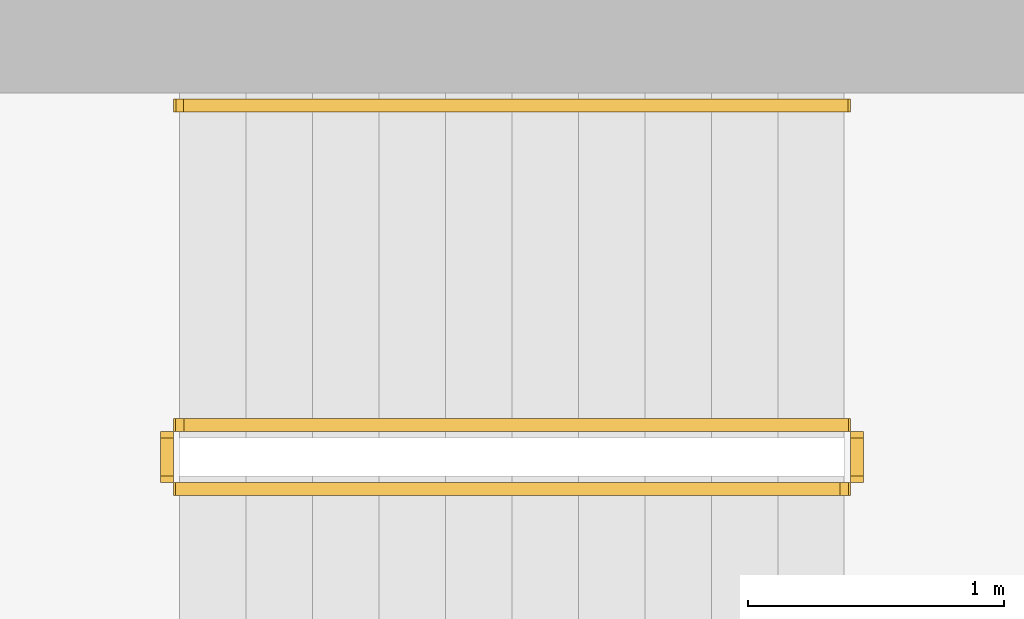
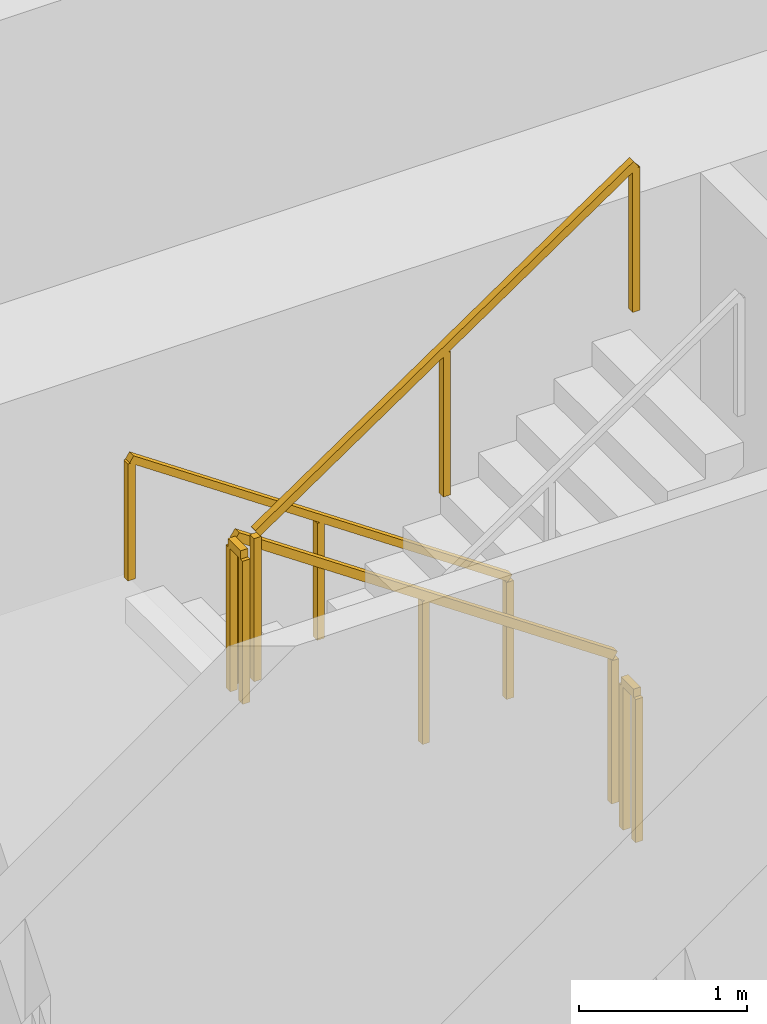
# One storey, part 13 of 14: 5 railings.
"""IFC4 building model written with IfcOpenShell, lengths in metres."""

from ifc_helpers import new_model, si_unit, direction, frame, origin, origin_2d, place, context, subcontext, project, spatial, rectangle, extrude, material, type_object, element, save


model = new_model("IFC4")

# Units and contexts
model_context = context("Model", 3, precision=1e-05, world=origin(), true_north=direction((0.0, 1.0)))
body_context = subcontext(model_context, "Body", "Model", "MODEL_VIEW")
ifc_project = project(units=[si_unit("LENGTHUNIT", "METRE"), si_unit("AREAUNIT", "SQUARE_METRE"), si_unit("VOLUMEUNIT", "CUBIC_METRE"), si_unit("PLANEANGLEUNIT", "RADIAN"), si_unit("MASSUNIT", "GRAM", prefix="KILO")], contexts=[model_context])

# Site, building, storey
site_placement = place(None, origin())
site = spatial("IfcSite", under=ifc_project, at=site_placement, CompositionType="ELEMENT")
building_placement = place(site_placement, origin())
building = spatial("IfcBuilding", under=site, at=building_placement, Name="Khepri Terraces", CompositionType="ELEMENT")
storey_placement = place(building_placement, frame((0.0, 0.0, 114.300048828125)))
storey = spatial("IfcBuildingStorey", under=building, at=storey_placement, Name="L27", CompositionType="ELEMENT", Elevation=114.300048828125)

# Railings
ifc_material = material(Name="Stainless steel 316", Category="steel")
railing_type_1 = type_object("IfcRailingType", Name="RL-CORE-GUARD", PredefinedType="GUARDRAIL", material=ifc_material)
railing_1_placement = place(storey_placement, frame((-0.25, 8.800048828125, 0.17724609375)))
element("IfcRailing", 1, at=railing_1_placement, inside=storey, type_object=railing_type_1, Name="L27 ST-3 stair guard 1", PredefinedType="GUARDRAIL", context=body_context, shape_type="SweptSolid", body=[
    extrude(rectangle(XDim=0.050048828125, YDim=0.06005859375, at=origin_2d()), frame((0.0, 0.0, 1.070068359375), z_axis=(-0.826240473404, 0.0, 0.563317565952), x_axis=(0.0, -1.0, 0.0)), (0.0, 0.0, 1.0), 3.14697265625),
    extrude(rectangle(XDim=0.050048828125, YDim=0.050048828125, at=origin_2d()), origin(), (0.0, 0.0, 1.0), 1.0400390625),
    extrude(rectangle(XDim=0.050048828125, YDim=0.050048828125, at=origin_2d()), frame((-1.300048828125, 0.0, 0.88623046875)), (0.0, 0.0, 1.0), 1.0400390625),
    extrude(rectangle(XDim=0.050048828125, YDim=0.050048828125, at=origin_2d()), frame((-2.60009765625, 0.0, 1.772705078125)), (0.0, 0.0, 1.0), 1.0400390625),
])
railing_2_placement = place(storey_placement, frame((-2.89990234375, 8.75, 1.949951171875)))
element("IfcRailing", 2, at=railing_2_placement, inside=storey, type_object=railing_type_1, Name="L27 ST-3 stair guard 2", PredefinedType="GUARDRAIL", context=body_context, shape_type="SweptSolid", body=[
    extrude(rectangle(XDim=0.050048828125, YDim=0.06005859375, at=origin_2d()), frame((0.0, 0.0, 1.070068359375), z_axis=(0.0, -1.0, 0.0), x_axis=(1.0, 0.0, 0.0)), (0.0, 0.0, 1.0), 0.14990234375),
    extrude(rectangle(XDim=0.050048828125, YDim=0.050048828125, at=origin_2d()), origin(), (0.0, 0.0, 1.0), 1.0400390625),
    extrude(rectangle(XDim=0.050048828125, YDim=0.050048828125, at=origin_2d()), frame((0.0, -0.14990234375, 0.0)), (0.0, 0.0, 1.0), 1.0400390625),
])
railing_3_placement = place(storey_placement, frame((-2.85009765625, 8.550048828125, 2.127197265625)))
element("IfcRailing", 3, at=railing_3_placement, inside=storey, type_object=railing_type_1, Name="L27 ST-3 stair guard 3", PredefinedType="GUARDRAIL", context=body_context, shape_type="SweptSolid", body=[
    extrude(rectangle(XDim=0.050048828125, YDim=0.06005859375, at=origin_2d()), frame((0.0, 0.0, 1.070068359375), z_axis=(0.826240473404, 0.0, 0.563317565952), x_axis=(0.0, 1.0, 0.0)), (0.0, 0.0, 1.0), 3.14697265625),
    extrude(rectangle(XDim=0.050048828125, YDim=0.050048828125, at=origin_2d()), origin(), (0.0, 0.0, 1.0), 1.0400390625),
    extrude(rectangle(XDim=0.050048828125, YDim=0.050048828125, at=origin_2d()), frame((1.300048828125, 0.0, 0.88623046875)), (0.0, 0.0, 1.0), 1.0400390625),
    extrude(rectangle(XDim=0.050048828125, YDim=0.050048828125, at=origin_2d()), frame((2.60009765625, 0.0, 1.772705078125)), (0.0, 0.0, 1.0), 1.0400390625),
])
railing_4_placement = place(storey_placement, frame((-0.199951171875, 8.75, 0.0)))
element("IfcRailing", 4, at=railing_4_placement, inside=storey, type_object=railing_type_1, Name="L27 ST-3 stair guard 4", PredefinedType="GUARDRAIL", context=body_context, shape_type="SweptSolid", body=[
    extrude(rectangle(XDim=0.050048828125, YDim=0.06005859375, at=origin_2d()), frame((0.0, 0.0, 1.070068359375), z_axis=(0.0, -1.0, 0.0), x_axis=(1.0, 0.0, 0.0)), (0.0, 0.0, 1.0), 0.14990234375),
    extrude(rectangle(XDim=0.050048828125, YDim=0.050048828125, at=origin_2d()), origin(), (0.0, 0.0, 1.0), 1.0400390625),
    extrude(rectangle(XDim=0.050048828125, YDim=0.050048828125, at=origin_2d()), frame((0.0, -0.14990234375, 0.0)), (0.0, 0.0, 1.0), 1.0400390625),
])
railing_type_2 = type_object("IfcRailingType", Name="RL-CORE-HANDRAIL", PredefinedType="HANDRAIL", material=ifc_material)
railing_5_placement = place(storey_placement, frame((-0.25, 10.050048828125, 0.17724609375)))
element("IfcRailing", 5, at=railing_5_placement, inside=storey, type_object=railing_type_2, Name="L27 ST-3 stair handrail 1", PredefinedType="HANDRAIL", context=body_context, shape_type="SweptSolid", body=[
    extrude(rectangle(XDim=0.050048828125, YDim=0.050048828125, at=origin_2d()), frame((0.0, 0.0, 0.875), z_axis=(-0.826240473404, 0.0, 0.563317565952), x_axis=(0.0, -1.0, 0.0)), (0.0, 0.0, 1.0), 3.14697265625),
    extrude(rectangle(XDim=0.050048828125, YDim=0.050048828125, at=origin_2d()), origin(), (0.0, 0.0, 1.0), 0.849853515625),
    extrude(rectangle(XDim=0.050048828125, YDim=0.050048828125, at=origin_2d()), frame((-1.300048828125, 0.0, 0.88623046875)), (0.0, 0.0, 1.0), 0.849853515625),
    extrude(rectangle(XDim=0.050048828125, YDim=0.050048828125, at=origin_2d()), frame((-2.60009765625, 0.0, 1.772705078125)), (0.0, 0.0, 1.0), 0.849853515625),
])

save(model, "model.ifc")
